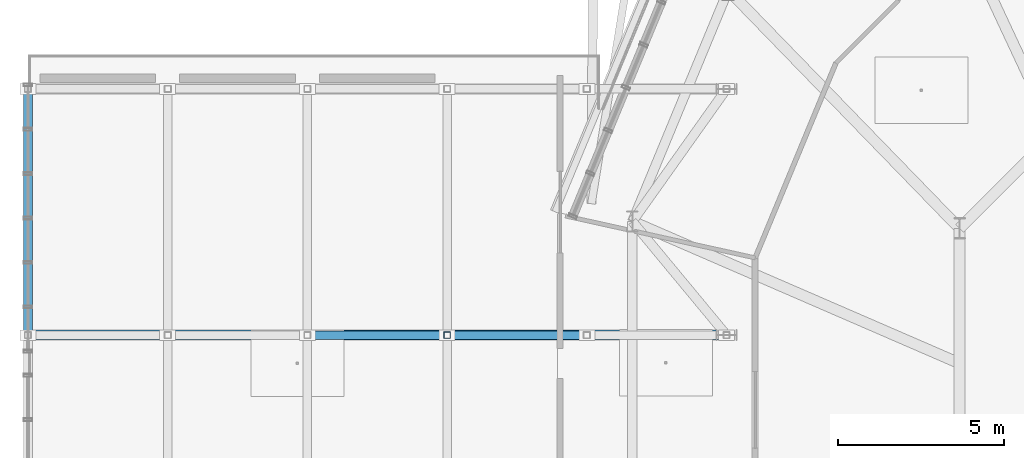
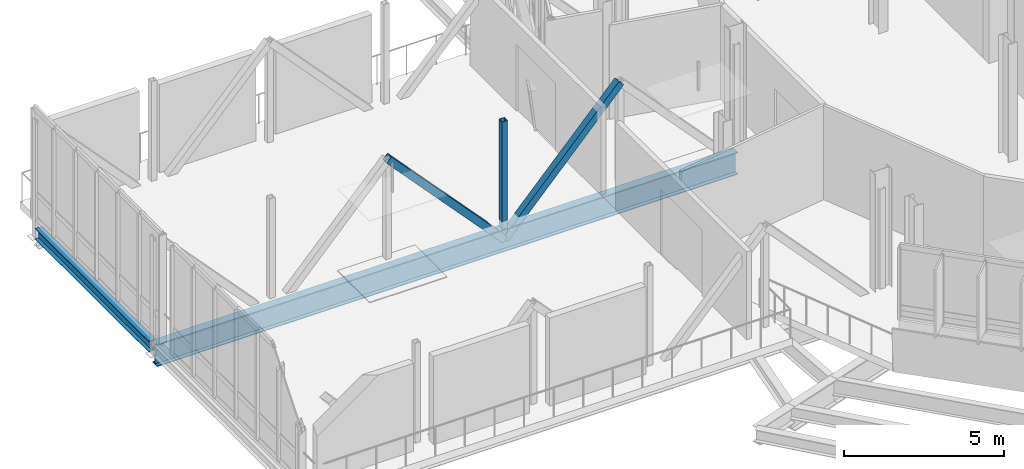
# One storey, part 49 of 139: 3 members, 2 beams.
"""IFC4 building model written with IfcOpenShell, lengths in metres."""

from ifc_helpers import new_model, si_unit, derived_unit, direction, frame, origin, origin_2d, place, context, subcontext, project, spatial, hollow_rectangle, i_section, extrude, material, material_profile, profile_set, type_object, element, save


model = new_model("IFC4")

# Units and contexts
model_context = context("Model", 3, precision=1e-05, world=origin(), true_north=direction((0.0, 1.0)))
body_context = subcontext(model_context, "Body", "Model", "MODEL_VIEW")
ifc_project = project(units=[si_unit("LENGTHUNIT", "METRE"), si_unit("AREAUNIT", "SQUARE_METRE"), si_unit("VOLUMEUNIT", "CUBIC_METRE"), si_unit("PLANEANGLEUNIT", "RADIAN"), si_unit("MASSUNIT", "GRAM", prefix="KILO"), derived_unit("THERMALTRANSMITTANCEUNIT", [(si_unit("MASSUNIT", "GRAM", prefix="KILO"), 1), (si_unit("TIMEUNIT", "SECOND"), -3), (si_unit("THERMODYNAMICTEMPERATUREUNIT", "KELVIN"), -1)])], contexts=[model_context])

# Site, building, storey
site_placement = place(None, origin())
site = spatial("IfcSite", under=ifc_project, at=site_placement, CompositionType="ELEMENT")
building_placement = place(site_placement, origin())
building = spatial("IfcBuilding", under=site, at=building_placement, Name="Makaiwela Harbour Ferry Terminal", CompositionType="ELEMENT")
storey_placement = place(building_placement, frame((0.0, 0.0, 5.10009765625)))
storey = spatial("IfcBuildingStorey", under=building, at=storey_placement, Name="L01", CompositionType="ELEMENT", Elevation=5.10009765625)

# Members
ifc_material_1 = material(Name="Steel ASTM A500 Grade C", Category="steel")
ifc_material_profile_1 = material_profile(ifc_material_1, hollow_rectangle(XDim=0.25390625, YDim=0.25390625, WallThickness=0.0146484375, at=origin_2d()), Name="HSS10X10X5/8")
ifc_profile_set_1 = profile_set([ifc_material_profile_1], Name="Steel ASTM A500 Grade C")
member_type_1 = type_object("IfcMemberType", Name="STR-BRC-HSS10", PredefinedType="BRACE", material=ifc_profile_set_1)
for number, where, z_axis, x_axis, name in (
    (1, (16.800048828125, 68.449951171875, 3.814453125), (-0.680693892275, 0.0, -0.732567966144), (0.0, -1.0, 0.0), "Structural Member BR-01"),
    (2, (12.60009765625, 68.449951171875, -0.70556640625), (-0.680715125989, 0.0, 0.732548235443), (0.0, -1.0, 0.0), "Structural Member BR-01"),
):
    element("IfcMember", number, at=place(storey_placement, frame(where, z_axis=z_axis, x_axis=x_axis)), inside=storey, type_object=member_type_1, Name=name, PredefinedType="BRACE", context=body_context, shape_type="SweptSolid", body=[
        extrude(hollow_rectangle(XDim=0.25390625, YDim=0.25390625, WallThickness=0.0146484375, at=origin_2d()), origin(), (0.0, 0.0, 1.0), 6.170166015625),
    ])

# Beams
ifc_material_2 = material(Name="Steel ASTM A992 Grade 50", Category="steel")
ifc_material_profile_2 = material_profile(ifc_material_2, i_section(OverallWidth=0.2939453125, OverallDepth=0.85107421875, WebThickness=0.01611328125, FlangeThickness=0.02685546875, at=origin_2d()), Name="W33X152")
ifc_profile_set_2 = profile_set([ifc_material_profile_2], Name="Steel ASTM A992 Grade 50")
beam_type_1 = type_object("IfcBeamType", Name="STR-GRD-W33X152", PredefinedType="USERDEFINED", material=ifc_profile_set_2)
beam_1_placement = place(storey_placement, frame((0.0, 68.449951171875, -0.70556640625), z_axis=(1.0, 0.0, 0.0), x_axis=(0.0, 1.0, 0.0)))
element("IfcBeam", 3, at=beam_1_placement, inside=storey, type_object=beam_type_1, Name="West bridge truss bottom chord 2", ObjectType="GIRDER", PredefinedType="USERDEFINED", context=body_context, shape_type="SweptSolid", body=[
    extrude(i_section(OverallWidth=0.2939453125, OverallDepth=0.85107421875, WebThickness=0.01611328125, FlangeThickness=0.02685546875, at=origin_2d()), origin(), (0.0, 0.0, 1.0), 21.0),
])
ifc_material_profile_3 = material_profile(ifc_material_2, i_section(OverallWidth=0.260986328125, OverallDepth=0.4189453125, WebThickness=0.01171875, FlangeThickness=0.019287109375, at=origin_2d()), Name="W16X77")
ifc_profile_set_3 = profile_set([ifc_material_profile_3], Name="Steel ASTM A992 Grade 50")
beam_type_2 = type_object("IfcBeamType", Name="STR-JST-W16X77", PredefinedType="JOIST", material=ifc_profile_set_3)
beam_2_placement = place(storey_placement, frame((0.0, 68.591064453125, -0.489501953125), z_axis=(0.0, 1.0, 0.0), x_axis=(-1.0, 0.0, 0.0)))
element("IfcBeam", 4, at=beam_2_placement, inside=storey, type_object=beam_type_2, Name="Structural Beam J-02", PredefinedType="JOIST", context=body_context, shape_type="SweptSolid", body=[
    extrude(i_section(OverallWidth=0.260986328125, OverallDepth=0.4189453125, WebThickness=0.01171875, FlangeThickness=0.019287109375, at=origin_2d()), origin(), (0.0, 0.0, 1.0), 7.117919921875),
])

# Member
ifc_material_profile_4 = material_profile(ifc_material_1, hollow_rectangle(XDim=0.202880859375, YDim=0.202880859375, WallThickness=0.01171875, at=origin_2d()), Name="HSS8X8X1/2")
ifc_profile_set_4 = profile_set([ifc_material_profile_4], Name="Steel ASTM A500 Grade C")
member_type_2 = type_object("IfcMemberType", Name="STR-PST-HSS8", PredefinedType="POST", material=ifc_profile_set_4)
member_placement = place(storey_placement, frame((12.60009765625, 68.449951171875, -0.70556640625), z_axis=(0.0, 0.0, 1.0), x_axis=(1.0, 0.0, 0.0)))
element("IfcMember", 5, at=member_placement, inside=storey, type_object=member_type_2, Name="Structural Member PS-01", PredefinedType="POST", context=body_context, shape_type="SweptSolid", body=[
    extrude(hollow_rectangle(XDim=0.202880859375, YDim=0.202880859375, WallThickness=0.01171875, at=origin_2d()), origin(), (0.0, 0.0, 1.0), 4.52001953125),
])

save(model, "model.ifc")
